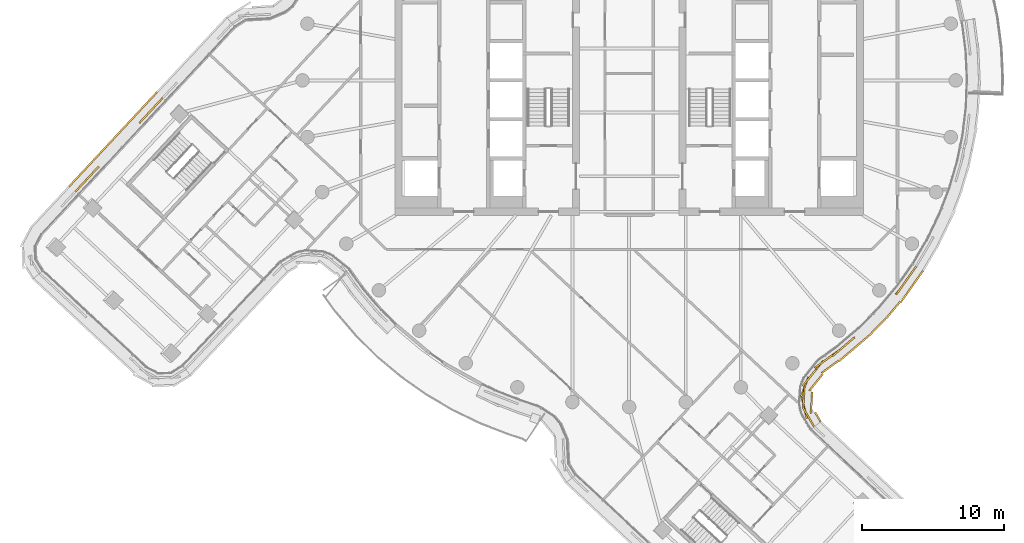
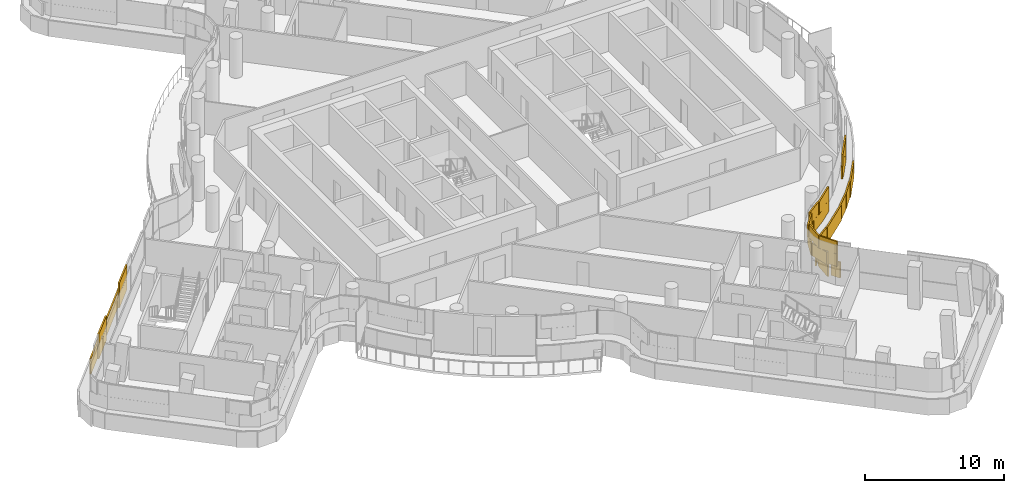
# One storey, part 25 of 30: 2 coverings.
"""IFC4 building model written with IfcOpenShell, lengths in metres."""

from ifc_helpers import new_model, si_unit, direction, frame, origin, origin_2d, place, context, subcontext, project, spatial, rectangle, extrude, material, layer, layer_set, type_object, element, save


model = new_model("IFC4")

# Units and contexts
model_context = context("Model", 3, precision=1e-05, world=origin(), true_north=direction((0.0, 1.0)))
body_context = subcontext(model_context, "Body", "Model", "MODEL_VIEW")
ifc_project = project(units=[si_unit("LENGTHUNIT", "METRE"), si_unit("AREAUNIT", "SQUARE_METRE"), si_unit("VOLUMEUNIT", "CUBIC_METRE"), si_unit("PLANEANGLEUNIT", "RADIAN"), si_unit("MASSUNIT", "GRAM", prefix="KILO")], contexts=[model_context])

# Site, building, storey
site_placement = place(None, origin())
site = spatial("IfcSite", under=ifc_project, at=site_placement, CompositionType="ELEMENT")
building_placement = place(site_placement, origin())
building = spatial("IfcBuilding", under=site, at=building_placement, Name="Tamarind Cross Interchange Tower", CompositionType="ELEMENT")
storey_placement = place(building_placement, frame((0.0, 0.0, 204.10009765625)))
storey = spatial("IfcBuildingStorey", under=building, at=storey_placement, Name="L51", CompositionType="ELEMENT", Elevation=204.10009765625)

# Coverings
ifc_material = material(Name="Terracotta", Category="masonry")
ifc_layer = layer(ifc_material, 0.1201171875)
ifc_layer_set = layer_set([ifc_layer], Name="Terracotta")
covering_type = type_object("IfcCoveringType", Name="Terracotta baguette screen unit", PredefinedType="MOLDING", material=ifc_layer_set)
covering_1_placement = place(storey_placement, origin())
element("IfcCovering", 1, at=covering_1_placement, inside=storey, type_object=covering_type, Name="SCR-L51-06-00", PredefinedType="MOLDING", context=body_context, shape_type="SweptSolid", body=[
    extrude(rectangle(XDim=0.760009765625, YDim=0.1201171875, at=origin_2d()), frame((12.843017578125, -24.06982421875, 1.40380859375), z_axis=(0.0, 0.0, 1.0), x_axis=(-0.501526631545, 0.865142206721, 0.0)), (0.0, 0.0, 1.0), 1.092041015625),
    extrude(rectangle(XDim=1.52001953125, YDim=0.1201171875, at=origin_2d()), frame((12.340576171875, -23.072021484375, 1.40380859375), z_axis=(0.0, 0.0, 1.0), x_axis=(-0.22811476184, 0.973634251365, 0.0)), (0.0, 0.0, 1.0), 1.092041015625),
    extrude(rectangle(XDim=1.52001953125, YDim=0.1201171875, at=origin_2d()), frame((12.362548828125, -21.58642578125, 1.40380859375), z_axis=(0.0, 0.0, 1.0), x_axis=(0.352556948267, 0.935790360192, 0.0)), (0.0, 0.0, 1.0), 1.092041015625),
    extrude(rectangle(XDim=1.52001953125, YDim=0.1201171875, at=origin_2d()), frame((13.1748046875, -20.345703125, 1.40380859375), z_axis=(0.0, 0.0, 1.0), x_axis=(0.630797467392, 0.775947520862, 0.0)), (0.0, 0.0, 1.0), 1.092041015625),
    extrude(rectangle(XDim=1.52001953125, YDim=0.1201171875, at=origin_2d()), frame((14.29296875, -19.36376953125, 1.40380859375), z_axis=(0.0, 0.0, 1.0), x_axis=(0.8108888363, 0.585200218014, 0.0)), (0.0, 0.0, 1.0), 1.092041015625),
    extrude(rectangle(XDim=1.29833984375, YDim=0.1201171875, at=origin_2d()), frame((15.38916015625, -18.504638671875, 1.40380859375), z_axis=(0.0, 0.0, 1.0), x_axis=(0.760295606781, 0.64957723968, 0.0)), (0.0, 0.0, 1.0), 1.092041015625),
    extrude(rectangle(XDim=0.521728515625, YDim=0.1201171875, at=origin_2d()), frame((18.9443359375, -14.862548828125, 1.40380859375), z_axis=(0.0, 0.0, 1.0), x_axis=(0.643009266048, 0.765858396687, 0.0)), (0.0, 0.0, 1.0), 1.092041015625),
    extrude(rectangle(XDim=1.52001953125, YDim=0.1201171875, at=origin_2d()), frame((19.538330078125, -14.05126953125, 1.40380859375), z_axis=(0.0, 0.0, 1.0), x_axis=(0.577568978284, 0.816341886298, 0.0)), (0.0, 0.0, 1.0), 1.092041015625),
    extrude(rectangle(XDim=0.4150390625, YDim=0.1201171875, at=origin_2d()), frame((20.08837890625, -13.273681640625, 1.40380859375), z_axis=(0.0, 0.0, 1.0), x_axis=(0.577568978284, 0.816341886298, 0.0)), (0.0, 0.0, 1.0), 1.092041015625),
    extrude(rectangle(XDim=1.510009765625, YDim=0.1201171875, at=origin_2d()), frame((12.65478515625, -23.745361328125, 2.50390625), z_axis=(0.0, 0.0, 1.0), x_axis=(-0.501526631545, 0.865142206721, 0.0)), (0.0, 0.0, 1.0), 1.092041015625),
    extrude(rectangle(XDim=1.52001953125, YDim=0.1201171875, at=origin_2d()), frame((12.296630859375, -22.331298828125, 2.50390625), z_axis=(0.0, 0.0, 1.0), x_axis=(0.065034640495, 0.997883006938, 0.0)), (0.0, 0.0, 1.0), 1.092041015625),
    extrude(rectangle(XDim=1.52001953125, YDim=0.1201171875, at=origin_2d()), frame((12.70166015625, -20.927734375, 2.50390625), z_axis=(0.0, 0.0, 1.0), x_axis=(0.630797467392, 0.775947520862, 0.0)), (0.0, 0.0, 1.0), 1.092041015625),
    extrude(rectangle(XDim=1.52001953125, YDim=0.1201171875, at=origin_2d()), frame((13.684814453125, -19.802734375, 2.50390625), z_axis=(0.0, 0.0, 1.0), x_axis=(0.8108888363, 0.585200218014, 0.0)), (0.0, 0.0, 1.0), 1.092041015625),
    extrude(rectangle(XDim=1.52001953125, YDim=0.1201171875, at=origin_2d()), frame((14.899658203125, -18.9228515625, 2.50390625), z_axis=(0.0, 0.0, 1.0), x_axis=(0.760295606781, 0.64957723968, 0.0)), (0.0, 0.0, 1.0), 1.092041015625),
    extrude(rectangle(XDim=0.54833984375, YDim=0.1201171875, at=origin_2d()), frame((15.67431640625, -18.260986328125, 2.50390625), z_axis=(0.0, 0.0, 1.0), x_axis=(0.760295606781, 0.64957723968, 0.0)), (0.0, 0.0, 1.0), 1.092041015625),
    extrude(rectangle(XDim=1.271728515625, YDim=0.1201171875, at=origin_2d()), frame((19.173828125, -14.56640625, 2.50390625), z_axis=(0.0, 0.0, 1.0), x_axis=(0.577568978284, 0.816341886298, 0.0)), (0.0, 0.0, 1.0), 1.092041015625),
    extrude(rectangle(XDim=1.1650390625, YDim=0.1201171875, at=origin_2d()), frame((19.871826171875, -13.579833984375, 2.50390625), z_axis=(0.0, 0.0, 1.0), x_axis=(0.577568978284, 0.816341886298, 0.0)), (0.0, 0.0, 1.0), 1.092041015625),
    extrude(rectangle(XDim=0.760009765625, YDim=0.1201171875, at=origin_2d()), frame((13.294921875, -23.704833984375, 0.00390625), z_axis=(0.0, 0.0, 1.0), x_axis=(-0.501526631545, 0.865142206721, 0.0)), (0.0, 0.0, 1.0), 1.39208984375),
    extrude(rectangle(XDim=1.52001953125, YDim=0.1201171875, at=origin_2d()), frame((12.848388671875, -22.6923828125, 0.00390625), z_axis=(0.0, 0.0, 1.0), x_axis=(0.065034640495, 0.997883006938, 0.0)), (0.0, 0.0, 1.0), 1.39208984375),
    extrude(rectangle(XDim=1.52001953125, YDim=0.1201171875, at=origin_2d()), frame((13.167724609375, -21.26416015625, 0.00390625), z_axis=(0.0, 0.0, 1.0), x_axis=(0.630797467392, 0.775947520862, 0.0)), (0.0, 0.0, 1.0), 1.39208984375),
    extrude(rectangle(XDim=1.52001953125, YDim=0.1201171875, at=origin_2d()), frame((14.17041015625, -20.16015625, 0.00390625), z_axis=(0.0, 0.0, 1.0), x_axis=(0.8108888363, 0.585200218014, 0.0)), (0.0, 0.0, 1.0), 1.39208984375),
    extrude(rectangle(XDim=1.52001953125, YDim=0.1201171875, at=origin_2d()), frame((15.376953125, -19.27001953125, 0.00390625), z_axis=(0.0, 0.0, 1.0), x_axis=(0.760295606781, 0.64957723968, 0.0)), (0.0, 0.0, 1.0), 1.39208984375),
    extrude(rectangle(XDim=1.52001953125, YDim=0.1201171875, at=origin_2d()), frame((16.517578125, -18.295654296875, 0.00390625), z_axis=(0.0, 0.0, 1.0), x_axis=(0.760295606781, 0.64957723968, 0.0)), (0.0, 0.0, 1.0), 1.39208984375),
    extrude(rectangle(XDim=1.52001953125, YDim=0.1201171875, at=origin_2d()), frame((17.593017578125, -17.251220703125, 0.00390625), z_axis=(0.0, 0.0, 1.0), x_axis=(0.704057148523, 0.710143317658, 0.0)), (0.0, 0.0, 1.0), 1.39208984375),
    extrude(rectangle(XDim=1.52001953125, YDim=0.1201171875, at=origin_2d()), frame((18.611572265625, -16.151611328125, 0.00390625), z_axis=(0.0, 0.0, 1.0), x_axis=(0.643009266048, 0.765858396687, 0.0)), (0.0, 0.0, 1.0), 1.39208984375),
    extrude(rectangle(XDim=1.52001953125, YDim=0.1201171875, at=origin_2d()), frame((19.57080078125, -14.9990234375, 0.00390625), z_axis=(0.0, 0.0, 1.0), x_axis=(0.577568978284, 0.816341886298, 0.0)), (0.0, 0.0, 1.0), 1.39208984375),
    extrude(rectangle(XDim=1.193115234375, YDim=0.1201171875, at=origin_2d()), frame((20.3427734375, -13.907958984375, 0.00390625), z_axis=(0.0, 0.0, 1.0), x_axis=(0.577568978284, 0.816341886298, 0.0)), (0.0, 0.0, 1.0), 1.39208984375),
])
covering_2_placement = place(storey_placement, origin())
element("IfcCovering", 2, at=covering_2_placement, inside=storey, type_object=covering_type, Name="SCR-L51-11-01", PredefinedType="MOLDING", context=body_context, shape_type="SweptSolid", body=[
    extrude(rectangle(XDim=1.10888671875, YDim=0.1201171875, at=origin_2d()), frame((-33.218017578125, -1.637451171875, 1.40380859375), z_axis=(0.0, 0.0, 1.0), x_axis=(-0.681794100992, -0.73154412297, 0.0)), (0.0, 0.0, 1.0), 1.092041015625),
    extrude(rectangle(XDim=1.31640625, YDim=0.1201171875, at=origin_2d()), frame((-34.037841796875, -2.517333984375, 1.40380859375), z_axis=(0.0, 0.0, 1.0), x_axis=(-0.681794100992, -0.73154412297, 0.0)), (0.0, 0.0, 1.0), 1.092041015625),
    extrude(rectangle(XDim=0.50341796875, YDim=0.1201171875, at=origin_2d()), frame((-37.51513671875, -6.248046875, 1.40380859375), z_axis=(0.0, 0.0, 1.0), x_axis=(-0.681794100992, -0.73154412297, 0.0)), (0.0, 0.0, 1.0), 1.092041015625),
    extrude(rectangle(XDim=1.52001953125, YDim=0.1201171875, at=origin_2d()), frame((-38.194580078125, -6.977294921875, 1.40380859375), z_axis=(0.0, 0.0, 1.0), x_axis=(-0.681794100992, -0.73154412297, 0.0)), (0.0, 0.0, 1.0), 1.092041015625),
    extrude(rectangle(XDim=0.421630859375, YDim=0.1201171875, at=origin_2d()), frame((-38.846435546875, -7.676513671875, 1.40380859375), z_axis=(0.0, 0.0, 1.0), x_axis=(-0.681794100992, -0.73154412297, 0.0)), (0.0, 0.0, 1.0), 1.092041015625),
    extrude(rectangle(XDim=0.35888671875, YDim=0.1201171875, at=origin_2d()), frame((-32.96240234375, -1.36328125, 2.50390625), z_axis=(0.0, 0.0, 1.0), x_axis=(-0.681794100992, -0.73154412297, 0.0)), (0.0, 0.0, 1.0), 1.092041015625),
    extrude(rectangle(XDim=1.52001953125, YDim=0.1201171875, at=origin_2d()), frame((-33.592529296875, -2.039306640625, 2.50390625), z_axis=(0.0, 0.0, 1.0), x_axis=(-0.681794100992, -0.73154412297, 0.0)), (0.0, 0.0, 1.0), 1.092041015625),
    extrude(rectangle(XDim=0.56640625, YDim=0.1201171875, at=origin_2d()), frame((-34.293701171875, -2.79150390625, 2.50390625), z_axis=(0.0, 0.0, 1.0), x_axis=(-0.681794100992, -0.73154412297, 0.0)), (0.0, 0.0, 1.0), 1.092041015625),
    extrude(rectangle(XDim=1.25341796875, YDim=0.1201171875, at=origin_2d()), frame((-37.770751953125, -6.5224609375, 2.50390625), z_axis=(0.0, 0.0, 1.0), x_axis=(-0.681794100992, -0.73154412297, 0.0)), (0.0, 0.0, 1.0), 1.092041015625),
    extrude(rectangle(XDim=1.171630859375, YDim=0.1201171875, at=origin_2d()), frame((-38.590576171875, -7.40234375, 2.50390625), z_axis=(0.0, 0.0, 1.0), x_axis=(-0.681794100992, -0.73154412297, 0.0)), (0.0, 0.0, 1.0), 1.092041015625),
    extrude(rectangle(XDim=1.0556640625, YDim=0.1201171875, at=origin_2d()), frame((-33.609619140625, -1.2158203125, 0.00390625), z_axis=(0.0, 0.0, 1.0), x_axis=(-0.681794100992, -0.73154412297, 0.0)), (0.0, 0.0, 1.0), 1.39208984375),
    extrude(rectangle(XDim=1.52001953125, YDim=0.1201171875, at=origin_2d()), frame((-34.473876953125, -2.143310546875, 0.00390625), z_axis=(0.0, 0.0, 1.0), x_axis=(-0.681794100992, -0.73154412297, 0.0)), (0.0, 0.0, 1.0), 1.39208984375),
    extrude(rectangle(XDim=1.52001953125, YDim=0.1201171875, at=origin_2d()), frame((-35.49658203125, -3.240478515625, 0.00390625), z_axis=(0.0, 0.0, 1.0), x_axis=(-0.681794100992, -0.73154412297, 0.0)), (0.0, 0.0, 1.0), 1.39208984375),
    extrude(rectangle(XDim=1.52001953125, YDim=0.1201171875, at=origin_2d()), frame((-36.519287109375, -4.337890625, 0.00390625), z_axis=(0.0, 0.0, 1.0), x_axis=(-0.681794100992, -0.73154412297, 0.0)), (0.0, 0.0, 1.0), 1.39208984375),
    extrude(rectangle(XDim=1.52001953125, YDim=0.1201171875, at=origin_2d()), frame((-37.5419921875, -5.43505859375, 0.00390625), z_axis=(0.0, 0.0, 1.0), x_axis=(-0.681794100992, -0.73154412297, 0.0)), (0.0, 0.0, 1.0), 1.39208984375),
    extrude(rectangle(XDim=1.52001953125, YDim=0.1201171875, at=origin_2d()), frame((-38.564697265625, -6.532470703125, 0.00390625), z_axis=(0.0, 0.0, 1.0), x_axis=(-0.681794100992, -0.73154412297, 0.0)), (0.0, 0.0, 1.0), 1.39208984375),
    extrude(rectangle(XDim=0.541748046875, YDim=0.1201171875, at=origin_2d()), frame((-39.25390625, -7.27197265625, 0.00390625), z_axis=(0.0, 0.0, 1.0), x_axis=(-0.681794100992, -0.73154412297, 0.0)), (0.0, 0.0, 1.0), 1.39208984375),
])

save(model, "model.ifc")
